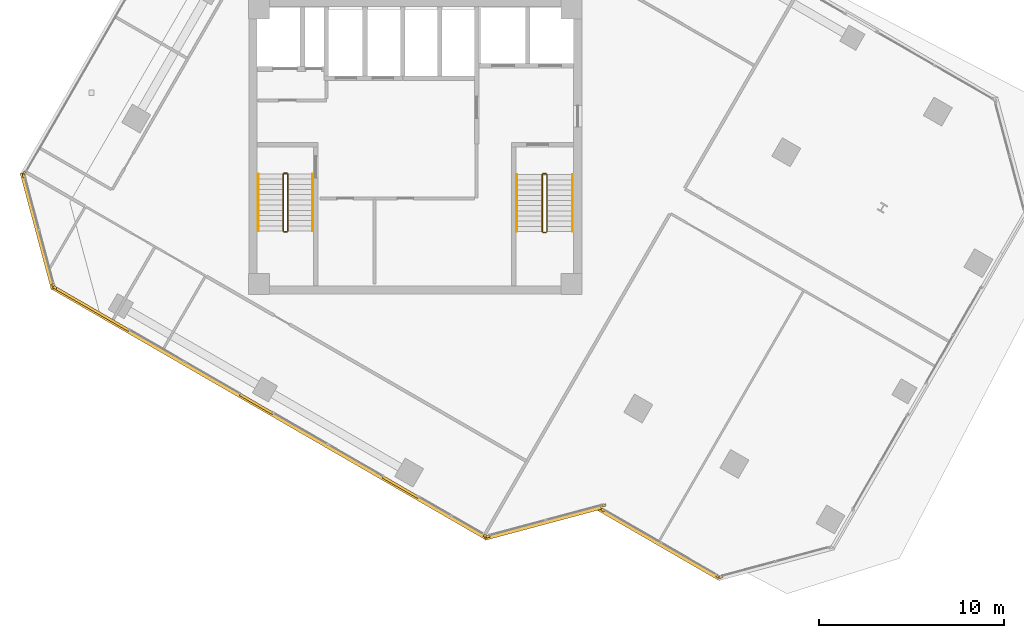
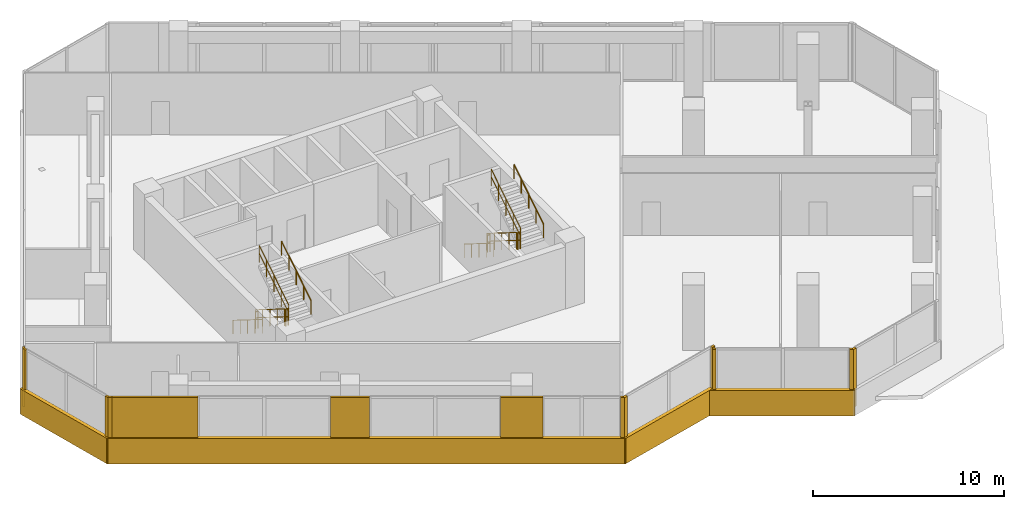
# One storey, part 19 of 21: 17 coverings, 12 railings.
"""IFC4 building model written with IfcOpenShell, lengths in metres."""

from ifc_helpers import new_model, si_unit, direction, frame, origin, origin_2d, place, context, subcontext, project, spatial, rectangle, circle, extrude, source, transform, mapped, material, layer, layer_set, type_object, element, save


model = new_model("IFC4")

# Units and contexts
model_context = context("Model", 3, precision=1e-05, world=origin(), true_north=direction((0.0, 1.0)))
body_context = subcontext(model_context, "Body", "Model", "MODEL_VIEW")
ifc_project = project(units=[si_unit("LENGTHUNIT", "METRE"), si_unit("AREAUNIT", "SQUARE_METRE"), si_unit("VOLUMEUNIT", "CUBIC_METRE"), si_unit("PLANEANGLEUNIT", "RADIAN"), si_unit("MASSUNIT", "GRAM", prefix="KILO")], contexts=[model_context])

# Site, building, storey
site_placement = place(None, origin())
site = spatial("IfcSite", under=ifc_project, at=site_placement, CompositionType="ELEMENT")
building_placement = place(site_placement, origin())
building = spatial("IfcBuilding", under=site, at=building_placement, Name="Torre Montelarca", CompositionType="ELEMENT")
storey_placement = place(building_placement, frame((0.0, 0.0, 179.199951171875)))
storey = spatial("IfcBuildingStorey", under=building, at=storey_placement, Name="L40", CompositionType="ELEMENT", Elevation=179.199951171875)

# Railings
ifc_material_1 = material(Name="Powder-coated steel ASTM A500 Grade C", Category="steel")
railing_type_1 = type_object("IfcRailingType", Name="RL-GUARD-1100", PredefinedType="BALUSTRADE", material=ifc_material_1)
railing_1_placement = place(storey_placement, frame((10.85009765625, 30.5, 0.175048828125)))
element("IfcRailing", 1, at=railing_1_placement, inside=storey, type_object=railing_type_1, Name="L40 ST1 stair guard 1", PredefinedType="BALUSTRADE", context=body_context, shape_type="SweptSolid", body=[
    extrude(circle(Radius=0.02392578125, at=origin_2d()), frame((0.0, 0.0, 1.076171875), z_axis=(0.0, -0.847998304005, 0.529998940003), x_axis=(1.0, 0.0, 0.0)), (0.0, 0.0, 1.0), 3.632080078125),
    extrude(circle(Radius=0.02099609375, at=origin_2d()), frame((0.0, 0.0, 0.572021484375), z_axis=(0.0, -0.847998304005, 0.529998940003), x_axis=(1.0, 0.0, 0.0)), (0.0, 0.0, 1.0), 3.632080078125),
    extrude(circle(Radius=0.02099609375, at=origin_2d()), origin(), (0.0, 0.0, 1.0), 1.052001953125),
    extrude(circle(Radius=0.02099609375, at=origin_2d()), frame((0.0, -0.77001953125, 0.481201171875)), (0.0, 0.0, 1.0), 1.052001953125),
    extrude(circle(Radius=0.02099609375, at=origin_2d()), frame((0.0, -1.5400390625, 0.96240234375)), (0.0, 0.0, 1.0), 1.052001953125),
    extrude(circle(Radius=0.02099609375, at=origin_2d()), frame((0.0, -2.31005859375, 1.44384765625)), (0.0, 0.0, 1.0), 1.052001953125),
    extrude(circle(Radius=0.02099609375, at=origin_2d()), frame((0.0, -3.080078125, 1.925048828125)), (0.0, 0.0, 1.0), 1.052001953125),
])
railing_2_placement = place(storey_placement, frame((10.89990234375, 27.3701171875, 2.10009765625)))
element("IfcRailing", 2, at=railing_2_placement, inside=storey, type_object=railing_type_1, Name="L40 ST1 stair guard 2", PredefinedType="BALUSTRADE", context=body_context, shape_type="SweptSolid", body=[
    extrude(circle(Radius=0.02392578125, at=origin_2d()), frame((0.0, 0.0, 1.076171875), z_axis=(1.0, 0.0, 0.0), x_axis=(0.0, 1.0, 0.0)), (0.0, 0.0, 1.0), 0.150146484375),
    extrude(circle(Radius=0.02099609375, at=origin_2d()), frame((0.0, 0.0, 0.572021484375), z_axis=(1.0, 0.0, 0.0), x_axis=(0.0, 1.0, 0.0)), (0.0, 0.0, 1.0), 0.150146484375),
    extrude(circle(Radius=0.02099609375, at=origin_2d()), origin(), (0.0, 0.0, 1.0), 1.052001953125),
    extrude(circle(Radius=0.02099609375, at=origin_2d()), frame((0.150146484375, 0.0, 0.0)), (0.0, 0.0, 1.0), 1.052001953125),
])
railing_3_placement = place(storey_placement, frame((11.10009765625, 27.419921875, 2.275146484375)))
element("IfcRailing", 3, at=railing_3_placement, inside=storey, type_object=railing_type_1, Name="L40 ST1 stair guard 3", PredefinedType="BALUSTRADE", context=body_context, shape_type="SweptSolid", body=[
    extrude(circle(Radius=0.02392578125, at=origin_2d()), frame((0.0, 0.0, 1.076171875), z_axis=(0.0, 0.848028513186, 0.529950602248), x_axis=(-1.0, 0.0, 0.0)), (0.0, 0.0, 1.0), 3.632080078125),
    extrude(circle(Radius=0.02099609375, at=origin_2d()), frame((0.0, 0.0, 0.572021484375), z_axis=(0.0, 0.848028513186, 0.529950602248), x_axis=(-1.0, 0.0, 0.0)), (0.0, 0.0, 1.0), 3.632080078125),
    extrude(circle(Radius=0.02099609375, at=origin_2d()), origin(), (0.0, 0.0, 1.0), 1.052001953125),
    extrude(circle(Radius=0.02099609375, at=origin_2d()), frame((0.0, 0.77001953125, 0.481201171875)), (0.0, 0.0, 1.0), 1.052001953125),
    extrude(circle(Radius=0.02099609375, at=origin_2d()), frame((0.0, 1.5400390625, 0.96240234375)), (0.0, 0.0, 1.0), 1.052001953125),
    extrude(circle(Radius=0.02099609375, at=origin_2d()), frame((0.0, 2.31005859375, 1.443603515625)), (0.0, 0.0, 1.0), 1.052001953125),
    extrude(circle(Radius=0.02099609375, at=origin_2d()), frame((0.0, 3.080078125, 1.9248046875)), (0.0, 0.0, 1.0), 1.052001953125),
])
railing_4_placement = place(storey_placement, frame((10.89990234375, 30.550048828125, 0.0)))
element("IfcRailing", 4, at=railing_4_placement, inside=storey, type_object=railing_type_1, Name="L40 ST1 stair guard 4", PredefinedType="BALUSTRADE", context=body_context, shape_type="SweptSolid", body=[
    extrude(circle(Radius=0.02392578125, at=origin_2d()), frame((0.0, 0.0, 1.076171875), z_axis=(1.0, 0.0, 0.0), x_axis=(0.0, 1.0, 0.0)), (0.0, 0.0, 1.0), 0.150146484375),
    extrude(circle(Radius=0.02099609375, at=origin_2d()), frame((0.0, 0.0, 0.572021484375), z_axis=(1.0, 0.0, 0.0), x_axis=(0.0, 1.0, 0.0)), (0.0, 0.0, 1.0), 0.150146484375),
    extrude(circle(Radius=0.02099609375, at=origin_2d()), origin(), (0.0, 0.0, 1.0), 1.052001953125),
    extrude(circle(Radius=0.02099609375, at=origin_2d()), frame((0.150146484375, 0.0, 0.0)), (0.0, 0.0, 1.0), 1.052001953125),
])
railing_5_placement = place(storey_placement, frame((24.8701171875, 30.469970703125, 0.175048828125)))
element("IfcRailing", 5, at=railing_5_placement, inside=storey, type_object=railing_type_1, Name="L40 ST2 stair guard 1", PredefinedType="BALUSTRADE", context=body_context, shape_type="SweptSolid", body=[
    extrude(circle(Radius=0.02392578125, at=origin_2d()), frame((0.0, 0.0, 1.076171875), z_axis=(0.0, -0.847998304005, 0.529998940003), x_axis=(1.0, 0.0, 0.0)), (0.0, 0.0, 1.0), 3.632080078125),
    extrude(circle(Radius=0.02099609375, at=origin_2d()), frame((0.0, 0.0, 0.572021484375), z_axis=(0.0, -0.847998304005, 0.529998940003), x_axis=(1.0, 0.0, 0.0)), (0.0, 0.0, 1.0), 3.632080078125),
    extrude(circle(Radius=0.02099609375, at=origin_2d()), origin(), (0.0, 0.0, 1.0), 1.052001953125),
    extrude(circle(Radius=0.02099609375, at=origin_2d()), frame((0.0, -0.77001953125, 0.481201171875)), (0.0, 0.0, 1.0), 1.052001953125),
    extrude(circle(Radius=0.02099609375, at=origin_2d()), frame((0.0, -1.5400390625, 0.96240234375)), (0.0, 0.0, 1.0), 1.052001953125),
    extrude(circle(Radius=0.02099609375, at=origin_2d()), frame((0.0, -2.31005859375, 1.44384765625)), (0.0, 0.0, 1.0), 1.052001953125),
    extrude(circle(Radius=0.02099609375, at=origin_2d()), frame((0.0, -3.080078125, 1.925048828125)), (0.0, 0.0, 1.0), 1.052001953125),
])
railing_6_placement = place(storey_placement, frame((24.919921875, 27.340087890625, 2.10009765625)))
element("IfcRailing", 6, at=railing_6_placement, inside=storey, type_object=railing_type_1, Name="L40 ST2 stair guard 2", PredefinedType="BALUSTRADE", context=body_context, shape_type="SweptSolid", body=[
    extrude(circle(Radius=0.02392578125, at=origin_2d()), frame((0.0, 0.0, 1.076171875), z_axis=(1.0, 0.0, 0.0), x_axis=(0.0, 1.0, 0.0)), (0.0, 0.0, 1.0), 0.150146484375),
    extrude(circle(Radius=0.02099609375, at=origin_2d()), frame((0.0, 0.0, 0.572021484375), z_axis=(1.0, 0.0, 0.0), x_axis=(0.0, 1.0, 0.0)), (0.0, 0.0, 1.0), 0.150146484375),
    extrude(circle(Radius=0.02099609375, at=origin_2d()), origin(), (0.0, 0.0, 1.0), 1.052001953125),
    extrude(circle(Radius=0.02099609375, at=origin_2d()), frame((0.150146484375, 0.0, 0.0)), (0.0, 0.0, 1.0), 1.052001953125),
])
railing_7_placement = place(storey_placement, frame((25.1201171875, 27.389892578125, 2.275146484375)))
element("IfcRailing", 7, at=railing_7_placement, inside=storey, type_object=railing_type_1, Name="L40 ST2 stair guard 3", PredefinedType="BALUSTRADE", context=body_context, shape_type="SweptSolid", body=[
    extrude(circle(Radius=0.02392578125, at=origin_2d()), frame((0.0, 0.0, 1.076171875), z_axis=(0.0, 0.848028513186, 0.529950602248), x_axis=(-1.0, 0.0, 0.0)), (0.0, 0.0, 1.0), 3.632080078125),
    extrude(circle(Radius=0.02099609375, at=origin_2d()), frame((0.0, 0.0, 0.572021484375), z_axis=(0.0, 0.848028513186, 0.529950602248), x_axis=(-1.0, 0.0, 0.0)), (0.0, 0.0, 1.0), 3.632080078125),
    extrude(circle(Radius=0.02099609375, at=origin_2d()), origin(), (0.0, 0.0, 1.0), 1.052001953125),
    extrude(circle(Radius=0.02099609375, at=origin_2d()), frame((0.0, 0.77001953125, 0.481201171875)), (0.0, 0.0, 1.0), 1.052001953125),
    extrude(circle(Radius=0.02099609375, at=origin_2d()), frame((0.0, 1.5400390625, 0.96240234375)), (0.0, 0.0, 1.0), 1.052001953125),
    extrude(circle(Radius=0.02099609375, at=origin_2d()), frame((0.0, 2.31005859375, 1.443603515625)), (0.0, 0.0, 1.0), 1.052001953125),
    extrude(circle(Radius=0.02099609375, at=origin_2d()), frame((0.0, 3.080078125, 1.9248046875)), (0.0, 0.0, 1.0), 1.052001953125),
])
railing_8_placement = place(storey_placement, frame((24.919921875, 30.52001953125, 0.0)))
element("IfcRailing", 8, at=railing_8_placement, inside=storey, type_object=railing_type_1, Name="L40 ST2 stair guard 4", PredefinedType="BALUSTRADE", context=body_context, shape_type="SweptSolid", body=[
    extrude(circle(Radius=0.02392578125, at=origin_2d()), frame((0.0, 0.0, 1.076171875), z_axis=(1.0, 0.0, 0.0), x_axis=(0.0, 1.0, 0.0)), (0.0, 0.0, 1.0), 0.150146484375),
    extrude(circle(Radius=0.02099609375, at=origin_2d()), frame((0.0, 0.0, 0.572021484375), z_axis=(1.0, 0.0, 0.0), x_axis=(0.0, 1.0, 0.0)), (0.0, 0.0, 1.0), 0.150146484375),
    extrude(circle(Radius=0.02099609375, at=origin_2d()), origin(), (0.0, 0.0, 1.0), 1.052001953125),
    extrude(circle(Radius=0.02099609375, at=origin_2d()), frame((0.150146484375, 0.0, 0.0)), (0.0, 0.0, 1.0), 1.052001953125),
])
ifc_material_2 = material(Name="Brushed stainless steel AISI 316", Category="steel")
railing_type_2 = type_object("IfcRailingType", Name="RL-HANDRAIL-900", PredefinedType="HANDRAIL", material=ifc_material_2)
railing_9_placement = place(storey_placement, frame((9.5, 30.5, 0.175048828125)))
element("IfcRailing", 9, at=railing_9_placement, inside=storey, type_object=railing_type_2, Name="L40 ST1 stair handrail 1", PredefinedType="HANDRAIL", context=body_context, shape_type="SweptSolid", body=[
    extrude(circle(Radius=0.02392578125, at=origin_2d()), frame((0.0, 0.0, 0.8759765625), z_axis=(0.0, -0.847998304005, 0.529998940003), x_axis=(1.0, 0.0, 0.0)), (0.0, 0.0, 1.0), 3.632080078125),
    extrude(circle(Radius=0.02099609375, at=origin_2d()), origin(), (0.0, 0.0, 1.0), 0.851806640625),
    extrude(circle(Radius=0.02099609375, at=origin_2d()), frame((0.0, -0.77001953125, 0.481201171875)), (0.0, 0.0, 1.0), 0.851806640625),
    extrude(circle(Radius=0.02099609375, at=origin_2d()), frame((0.0, -1.5400390625, 0.96240234375)), (0.0, 0.0, 1.0), 0.851806640625),
    extrude(circle(Radius=0.02099609375, at=origin_2d()), frame((0.0, -2.31005859375, 1.44384765625)), (0.0, 0.0, 1.0), 0.851806640625),
    extrude(circle(Radius=0.02099609375, at=origin_2d()), frame((0.0, -3.080078125, 1.925048828125)), (0.0, 0.0, 1.0), 0.851806640625),
])
railing_10_placement = place(storey_placement, frame((12.449951171875, 27.419921875, 2.275146484375)))
element("IfcRailing", 10, at=railing_10_placement, inside=storey, type_object=railing_type_2, Name="L40 ST1 stair handrail 2", PredefinedType="HANDRAIL", context=body_context, shape_type="SweptSolid", body=[
    extrude(circle(Radius=0.02392578125, at=origin_2d()), frame((0.0, 0.0, 0.8759765625), z_axis=(0.0, 0.848028513186, 0.529950602248), x_axis=(-1.0, 0.0, 0.0)), (0.0, 0.0, 1.0), 3.632080078125),
    extrude(circle(Radius=0.02099609375, at=origin_2d()), origin(), (0.0, 0.0, 1.0), 0.851806640625),
    extrude(circle(Radius=0.02099609375, at=origin_2d()), frame((0.0, 0.77001953125, 0.481201171875)), (0.0, 0.0, 1.0), 0.851806640625),
    extrude(circle(Radius=0.02099609375, at=origin_2d()), frame((0.0, 1.5400390625, 0.96240234375)), (0.0, 0.0, 1.0), 0.851806640625),
    extrude(circle(Radius=0.02099609375, at=origin_2d()), frame((0.0, 2.31005859375, 1.443603515625)), (0.0, 0.0, 1.0), 0.851806640625),
    extrude(circle(Radius=0.02099609375, at=origin_2d()), frame((0.0, 3.080078125, 1.9248046875)), (0.0, 0.0, 1.0), 0.851806640625),
])
railing_11_placement = place(storey_placement, frame((23.489990234375, 30.469970703125, 0.175048828125)))
element("IfcRailing", 11, at=railing_11_placement, inside=storey, type_object=railing_type_2, Name="L40 ST2 stair handrail 1", PredefinedType="HANDRAIL", context=body_context, shape_type="SweptSolid", body=[
    extrude(circle(Radius=0.02392578125, at=origin_2d()), frame((0.0, 0.0, 0.8759765625), z_axis=(0.0, -0.847998304005, 0.529998940003), x_axis=(1.0, 0.0, 0.0)), (0.0, 0.0, 1.0), 3.632080078125),
    extrude(circle(Radius=0.02099609375, at=origin_2d()), origin(), (0.0, 0.0, 1.0), 0.851806640625),
    extrude(circle(Radius=0.02099609375, at=origin_2d()), frame((0.0, -0.77001953125, 0.481201171875)), (0.0, 0.0, 1.0), 0.851806640625),
    extrude(circle(Radius=0.02099609375, at=origin_2d()), frame((0.0, -1.5400390625, 0.96240234375)), (0.0, 0.0, 1.0), 0.851806640625),
    extrude(circle(Radius=0.02099609375, at=origin_2d()), frame((0.0, -2.31005859375, 1.44384765625)), (0.0, 0.0, 1.0), 0.851806640625),
    extrude(circle(Radius=0.02099609375, at=origin_2d()), frame((0.0, -3.080078125, 1.925048828125)), (0.0, 0.0, 1.0), 0.851806640625),
])
railing_12_placement = place(storey_placement, frame((26.5, 27.389892578125, 2.275146484375)))
element("IfcRailing", 12, at=railing_12_placement, inside=storey, type_object=railing_type_2, Name="L40 ST2 stair handrail 2", PredefinedType="HANDRAIL", context=body_context, shape_type="SweptSolid", body=[
    extrude(circle(Radius=0.02392578125, at=origin_2d()), frame((0.0, 0.0, 0.8759765625), z_axis=(0.0, 0.848028513186, 0.529950602248), x_axis=(-1.0, 0.0, 0.0)), (0.0, 0.0, 1.0), 3.632080078125),
    extrude(circle(Radius=0.02099609375, at=origin_2d()), origin(), (0.0, 0.0, 1.0), 0.851806640625),
    extrude(circle(Radius=0.02099609375, at=origin_2d()), frame((0.0, 0.77001953125, 0.481201171875)), (0.0, 0.0, 1.0), 0.851806640625),
    extrude(circle(Radius=0.02099609375, at=origin_2d()), frame((0.0, 1.5400390625, 0.96240234375)), (0.0, 0.0, 1.0), 0.851806640625),
    extrude(circle(Radius=0.02099609375, at=origin_2d()), frame((0.0, 2.31005859375, 1.443603515625)), (0.0, 0.0, 1.0), 0.851806640625),
    extrude(circle(Radius=0.02099609375, at=origin_2d()), frame((0.0, 3.080078125, 1.9248046875)), (0.0, 0.0, 1.0), 0.851806640625),
])

# Coverings
ifc_material_3 = material(Name="Bush-hammered warm white precast concrete C45/55", Category="concrete")
ifc_layer = layer(ifc_material_3, 0.139892578125, Name="Bush-hammered warm white precast concrete C45/55", Category="concrete")
ifc_layer_set = layer_set([ifc_layer], Name="Bush-hammered warm white precast concrete C45/55")
covering_type = type_object("IfcCoveringType", Name="COV-TRAY-CLAD", PredefinedType="CLADDING", material=ifc_layer_set)
shared_shape_1 = source(origin(), body_context, "Body", "SweptSolid", [
    extrude(rectangle(XDim=6.48388671875, YDim=0.219970703125, at=origin_2d()), origin(), (0.0, 0.0, 1.0), 1.6201171875),
])
for number, where, z_axis, x_axis, name in (
    (13, (24.905517578125, 11.640869140625, -0.449951171875), (0.0, 0.0, 1.0), (0.965922212399, 0.258832531946, 0.0), "L40 Architectural White Spandrel Tray Band TRYBOT-02"),
    (14, (-2.42431640625, 27.419677734375, -0.449951171875), (0.0, 0.0, 1.0), (0.258813987523, -0.965927181449, 0.0), "L40 Architectural White Spandrel Tray Band TRYBOT-11"),
):
    element("IfcCovering", number, at=place(storey_placement, frame(where, z_axis=z_axis, x_axis=x_axis)), inside=storey, type_object=covering_type, Name=name, PredefinedType="CLADDING", context=body_context, shape_type="MappedRepresentation", body=[
        mapped(shared_shape_1, transform((0.0, 0.0, 0.0), scale=1.0)),
    ])
shared_shape_2 = source(origin(), body_context, "Body", "SweptSolid", [
    extrude(rectangle(XDim=27.219970703125, YDim=0.219970703125, at=origin_2d()), origin(), (0.0, 0.0, 1.0), 1.6201171875),
])
covering_1_placement = place(storey_placement, frame((10.1201171875, 17.58935546875, -0.449951171875), z_axis=(0.0, 0.0, 1.0), x_axis=(0.866025403784, -0.5, 0.0)))
element("IfcCovering", 15, at=covering_1_placement, inside=storey, type_object=covering_type, Name="L40 Architectural White Spandrel Tray Band TRYBOT-01", PredefinedType="CLADDING", context=body_context, shape_type="MappedRepresentation", body=[
    mapped(shared_shape_2, transform((0.0, 0.0, 0.0), scale=1.0)),
])
shared_shape_3 = source(origin(), body_context, "Body", "SweptSolid", [
    extrude(rectangle(XDim=0.199951171875, YDim=0.139892578125, at=origin_2d()), origin(), (0.0, 0.0, 1.0), 3.719970703125),
])
for number, where, z_axis, x_axis, name in (
    (16, (-1.484375, 24.3583984375, 0.0), (0.0, 0.0, 1.0), (0.866025403784, -0.5, 0.0), "L40 Architectural Column Pier Cladding E01-1"),
    (17, (21.784423828125, 10.92431640625, 0.0), (0.0, 0.0, 1.0), (0.866025403784, -0.5, 0.0), "L40 Architectural Column Pier Cladding E01-5"),
    (18, (21.92822265625, 10.9052734375, 0.0), (0.0, 0.0, 1.0), (0.965923115889, 0.25882916024, 0.0), "L40 Architectural Column Pier Cladding E02-1"),
    (19, (28.20654296875, 12.58740234375, 0.0), (0.0, 0.0, 1.0), (0.965923115889, 0.25882916024, 0.0), "L40 Architectural Column Pier Cladding E02-2"),
    (20, (28.14794921875, 12.330810546875, 0.0), (0.0, 0.0, 1.0), (0.866028021766, -0.499995465495, 0.0), "L40 Architectural Column Pier Cladding E04-1"),
    (21, (34.376708984375, 8.734619140625, 0.0), (0.0, 0.0, 1.0), (0.866028021766, -0.499995465495, 0.0), "L40 Architectural Column Pier Cladding E04-2"),
    (22, (34.5205078125, 8.7158203125, 0.0), (0.0, 0.0, 1.0), (0.96592176065, 0.258834217798, 0.0), "L40 Architectural Column Pier Cladding E05-1"),
    (23, (-3.140869140625, 30.540771484375, 0.0), (0.0, 0.0, 1.0), (-0.500001511499, -0.866024531118, 0.0), "L40 Architectural Column Pier Cladding E10-2"),
    (24, (-3.159912109375, 30.39697265625, 0.0), (0.0, 0.0, 1.0), (0.258815673384, -0.965926729732, 0.0), "L40 Architectural Column Pier Cladding E11-1"),
    (25, (-1.57275390625, 24.473388671875, 0.0), (0.0, 0.0, 1.0), (0.258815673384, -0.965926729732, 0.0), "L40 Architectural Column Pier Cladding E11-2"),
):
    element("IfcCovering", number, at=place(storey_placement, frame(where, z_axis=z_axis, x_axis=x_axis)), inside=storey, type_object=covering_type, Name=name, PredefinedType="CLADDING", context=body_context, shape_type="MappedRepresentation", body=[
        mapped(shared_shape_3, transform((0.0, 0.0, 0.0), scale=1.0)),
    ])
shared_shape_4 = source(origin(), body_context, "Body", "SweptSolid", [
    extrude(rectangle(XDim=7.6201171875, YDim=0.219970703125, at=origin_2d()), origin(), (0.0, 0.0, 1.0), 1.6201171875),
])
covering_2_placement = place(storey_placement, frame((31.199462890625, 10.499755859375, -0.449951171875), z_axis=(0.0, 0.0, 1.0), x_axis=(0.866025403784, -0.5, 0.0)))
element("IfcCovering", 26, at=covering_2_placement, inside=storey, type_object=covering_type, Name="L40 Architectural White Spandrel Tray Band TRYBOT-04", PredefinedType="CLADDING", context=body_context, shape_type="MappedRepresentation", body=[
    mapped(shared_shape_4, transform((0.0, 0.0, 0.0), scale=1.0)),
])
shared_shape_5 = source(origin(), body_context, "Body", "SweptSolid", [
    extrude(rectangle(XDim=2.2099609375, YDim=0.139892578125, at=origin_2d()), origin(), (0.0, 0.0, 1.0), 3.719970703125),
])
covering_3_placement = place(storey_placement, frame((17.2080078125, 13.56640625, 0.0), z_axis=(0.0, 0.0, 1.0), x_axis=(0.866025403784, -0.5, 0.0)))
element("IfcCovering", 27, at=covering_3_placement, inside=storey, type_object=covering_type, Name="L40 Architectural Column Pier Cladding E01-4", PredefinedType="CLADDING", context=body_context, shape_type="MappedRepresentation", body=[
    mapped(shared_shape_5, transform((0.0, 0.0, 0.0), scale=1.0)),
])
shared_shape_6 = source(origin(), body_context, "Body", "SweptSolid", [
    extrude(rectangle(XDim=2.06005859375, YDim=0.139892578125, at=origin_2d()), origin(), (0.0, 0.0, 1.0), 3.719970703125),
])
covering_4_placement = place(storey_placement, frame((9.413818359375, 18.06640625, 0.0), z_axis=(0.0, 0.0, 1.0), x_axis=(0.866025403784, -0.5, 0.0)))
element("IfcCovering", 28, at=covering_4_placement, inside=storey, type_object=covering_type, Name="L40 Architectural Column Pier Cladding E01-3", PredefinedType="CLADDING", context=body_context, shape_type="MappedRepresentation", body=[
    mapped(shared_shape_6, transform((0.0, 0.0, 0.0), scale=1.0)),
])
shared_shape_7 = source(origin(), body_context, "Body", "SweptSolid", [
    extrude(rectangle(XDim=4.6142578125, YDim=0.139892578125, at=origin_2d()), origin(), (0.0, 0.0, 1.0), 3.719970703125),
])
covering_5_placement = place(storey_placement, frame((0.513671875, 23.204833984375, 0.0), z_axis=(0.0, 0.0, 1.0), x_axis=(0.866025403784, -0.5, 0.0)))
element("IfcCovering", 29, at=covering_5_placement, inside=storey, type_object=covering_type, Name="L40 Architectural Column Pier Cladding E01-2", PredefinedType="CLADDING", context=body_context, shape_type="MappedRepresentation", body=[
    mapped(shared_shape_7, transform((0.0, 0.0, 0.0), scale=1.0)),
])

save(model, "model.ifc")
